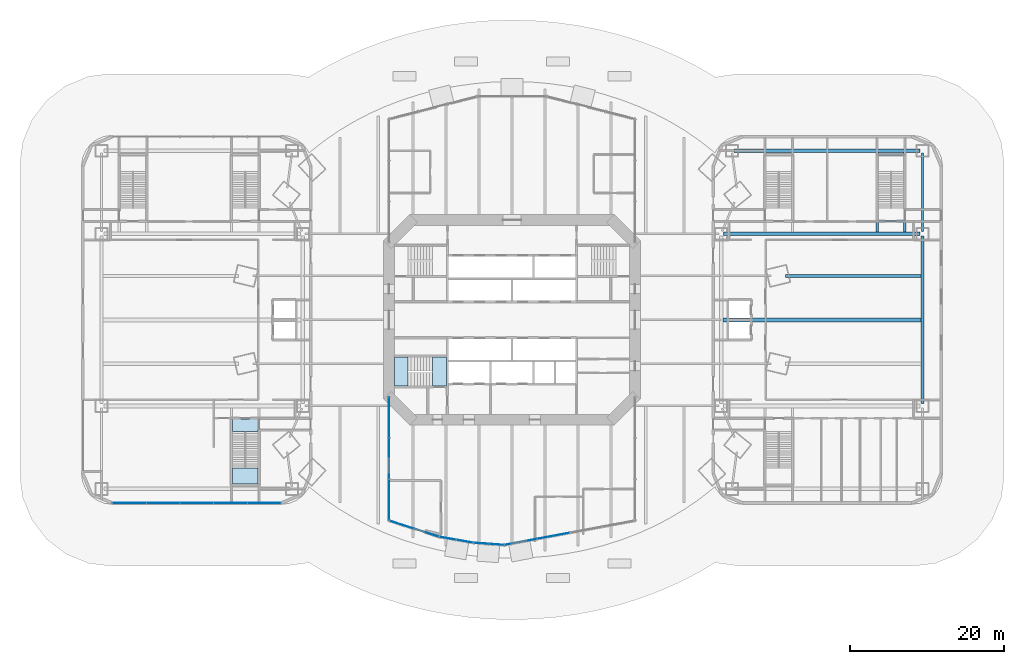
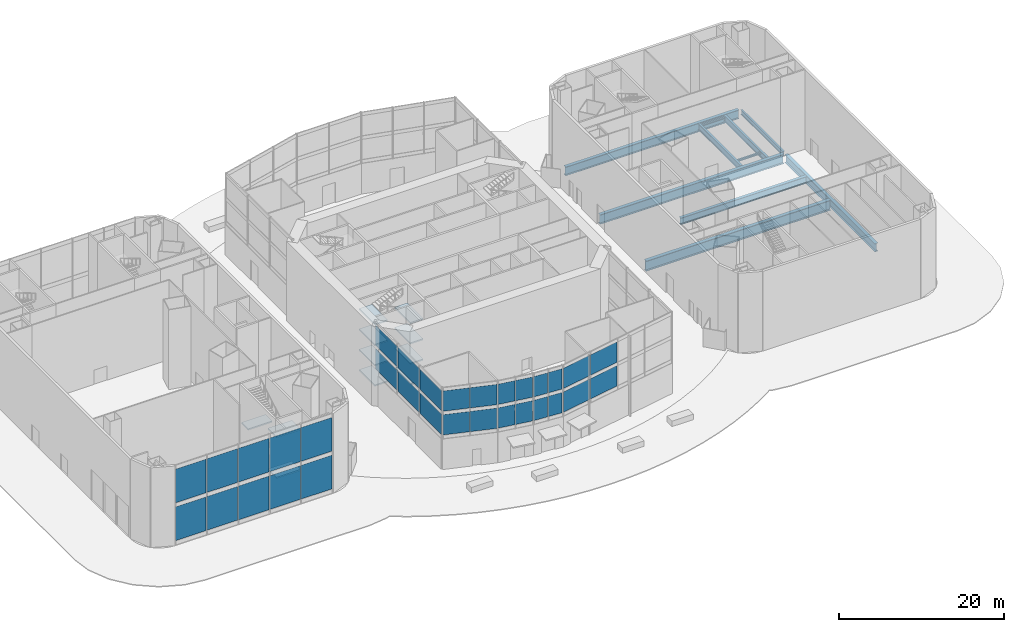
# One storey, part 8 of 23: 32 plates, 11 slabs, 10 beams, 8 elements without a shape of their own.
"""IFC4 building model written with IfcOpenShell, lengths in metres."""

import ifcopenshell
import ifcopenshell.guid

model = None  # the IFC model being written
_history = None  # IfcOwnerHistory: only IFC2X3 demands one
_inside = {}  # id of a spatial element -> (the spatial element, [elements in it])
_under = {}  # id of a project, library or spatial element -> (it, [spatial elements below it])
_declared = {}  # id of a project -> (the project, [libraries it declares])
_typed = {}  # id of a type object -> (the type object, [elements of that type])
_made_of = {}  # id of a material, layer set ... -> (it, [elements and type objects made of it])


def new_model(schema):
    """Start an empty IFC model of exactly this schema.

    Asked for "IFC4X3", IfcOpenShell would pick the latest addendum, in which some entities
    have other attributes; the version numbers below select the first issue.
    IFC2X3 requires an IfcOwnerHistory on every rooted entity: one is made here for all.
    """
    global model, _history
    if schema == "IFC4X3":
        model = ifcopenshell.file(schema_version=(4, 3, 0, 0))
    else:
        model = ifcopenshell.file(schema=schema)
    _inside.clear()
    _under.clear()
    _declared.clear()
    _typed.clear()
    _made_of.clear()
    _history = None
    if model.schema == "IFC2X3":
        org = make("IfcOrganization", Name="unknown")
        user = make(
            "IfcPersonAndOrganization",
            ThePerson=make("IfcPerson", FamilyName="unknown"),
            TheOrganization=org,
        )
        app = make(
            "IfcApplication",
            ApplicationDeveloper=org,
            Version="unknown",
            ApplicationFullName="unknown",
            ApplicationIdentifier="unknown",
        )
        _history = make(
            "IfcOwnerHistory",
            OwningUser=user,
            OwningApplication=app,
            ChangeAction="ADDED",
            CreationDate=0,
        )
    return model


def make(cls, **values):
    """One entity of the class cls with the attributes given. An attribute that is None is left unset."""
    return model.create_entity(
        cls, **{name: value for name, value in values.items() if value is not None}
    )


def rooted(cls, **values):
    """An entity with a GlobalId (a new one), such as an element, a storey or a relation."""
    return make(cls, GlobalId=ifcopenshell.guid.new(), OwnerHistory=_history, **values)


def si_unit(unit_type, name, prefix=None):
    """IfcSIUnit, for example si_unit("LENGTHUNIT", "METRE", prefix="MILLI")."""
    return make("IfcSIUnit", UnitType=unit_type, Prefix=prefix, Name=name)


def assignment(units):
    """IfcUnitAssignment: the units of a project."""
    return None if units is None else make("IfcUnitAssignment", Units=units)


def point(xyz):
    """IfcCartesianPoint."""
    return None if xyz is None else make("IfcCartesianPoint", Coordinates=xyz)


def direction(xyz):
    """IfcDirection."""
    return None if xyz is None else make("IfcDirection", DirectionRatios=xyz)


def frame(location, z_axis=None, x_axis=None):
    """IfcAxis2Placement3D, a coordinate frame: its origin and axes. An axis left out is left unset."""
    return make(
        "IfcAxis2Placement3D",
        Location=point(location),
        Axis=direction(z_axis),
        RefDirection=direction(x_axis),
    )


def frame_2d(location, x_axis=None):
    """IfcAxis2Placement2D, a coordinate frame in the plane: its origin and x axis."""
    return make(
        "IfcAxis2Placement2D", Location=point(location), RefDirection=direction(x_axis)
    )


def origin():
    """The frame at (0, 0, 0) with its axes left unset."""
    return frame((0.0, 0.0, 0.0))


def origin_2d():
    """The frame at (0, 0) in the plane with its x axis left unset."""
    return frame_2d((0.0, 0.0))


def place(relative_to, where):
    """IfcLocalPlacement: puts the frame where relative to a parent placement (None: the world)."""
    return make(
        "IfcLocalPlacement", PlacementRelTo=relative_to, RelativePlacement=where
    )


def context(
    kind, dimensions, precision=None, world=None, true_north=None, identifier=None
):
    """IfcGeometricRepresentationContext, for example the 3D "Model" context."""
    return make(
        "IfcGeometricRepresentationContext",
        ContextIdentifier=identifier,
        ContextType=kind,
        CoordinateSpaceDimension=dimensions,
        Precision=precision,
        WorldCoordinateSystem=world,
        TrueNorth=true_north,
    )


def subcontext(parent, identifier, kind, view, scale=None):
    """IfcGeometricRepresentationSubContext, for example "Body" below "Model"."""
    return make(
        "IfcGeometricRepresentationSubContext",
        ContextIdentifier=identifier,
        ContextType=kind,
        ParentContext=parent,
        TargetScale=scale,
        TargetView=view,
    )


def project(units=None, contexts=None):
    """IfcProject with its units and contexts."""
    return rooted(
        "IfcProject",
        Name="project",
        RepresentationContexts=contexts,
        UnitsInContext=assignment(units),
    )


def spatial(cls, under=None, at=None, **own):
    """A site, building, storey or space (cls), placed at a placement, below another one or the project."""
    s = rooted(cls, ObjectPlacement=at, **own)
    if under is not None:
        _under.setdefault(under.id(), (under, []))[1].append(s)
    return s


def polyline(points):
    """IfcPolyline through the points."""
    return make("IfcPolyline", Points=[point(p) for p in points])


def profile(cls, at=None, kind="AREA", **sizes):
    """A parametric profile (cls). Its sizes go by their IFC names, for example OverallWidth=200.0."""
    return make(cls, ProfileType=kind, Position=at, **sizes)


def rectangle(**sizes):
    """IfcRectangleProfileDef."""
    return profile("IfcRectangleProfileDef", **sizes)


def i_section(**sizes):
    """IfcIShapeProfileDef."""
    return profile("IfcIShapeProfileDef", **sizes)


def outline(outer, holes=None, kind="AREA"):
    """IfcArbitraryClosedProfileDef: a profile drawn as a closed curve; with holes, ...WithVoids."""
    if holes is None:
        return make("IfcArbitraryClosedProfileDef", ProfileType=kind, OuterCurve=outer)
    return make(
        "IfcArbitraryProfileDefWithVoids",
        ProfileType=kind,
        OuterCurve=outer,
        InnerCurves=holes,
    )


def extrude(swept, where, along, depth):
    """IfcExtrudedAreaSolid: the profile swept, set in the frame where, extruded along a direction by depth."""
    return make(
        "IfcExtrudedAreaSolid",
        SweptArea=swept,
        Position=where,
        ExtrudedDirection=direction(along),
        Depth=depth,
    )


def shape(context_of_items, identifier, shape_type, items):
    """IfcShapeRepresentation: the items that make up one representation, for example the "Body"."""
    return make(
        "IfcShapeRepresentation",
        ContextOfItems=context_of_items,
        RepresentationIdentifier=identifier,
        RepresentationType=shape_type,
        Items=items,
    )


def material(Name=None, Category=None):
    """IfcMaterial."""
    return make("IfcMaterial", Name=Name, Category=Category)


def layer(
    of_material, thickness, ventilated=None, Name=None, Category=None, Priority=None
):
    """IfcMaterialLayer: one layer of a wall or slab, of a material (None: an air gap)."""
    return make(
        "IfcMaterialLayer",
        Material=of_material,
        LayerThickness=thickness,
        IsVentilated=ventilated,
        Name=Name,
        Category=Category,
        Priority=Priority,
    )


def layer_set(layers, Name=None):
    """IfcMaterialLayerSet."""
    return make("IfcMaterialLayerSet", MaterialLayers=layers, LayerSetName=Name)


def material_profile(
    of_material, cross_section, Name=None, Category=None, Priority=None
):
    """IfcMaterialProfile: a cross section and its material."""
    return make(
        "IfcMaterialProfile",
        Name=Name,
        Material=of_material,
        Profile=cross_section,
        Priority=Priority,
        Category=Category,
    )


def profile_set(profiles, Name=None, composite=None):
    """IfcMaterialProfileSet."""
    return make(
        "IfcMaterialProfileSet",
        Name=Name,
        MaterialProfiles=profiles,
        CompositeProfile=composite,
    )


def made_of(thing, what):
    """Note that an element or type object is made of a material, layer set ...; save() writes the relation."""
    if what is not None:
        _made_of.setdefault(what.id(), (what, []))[1].append(thing)
    return thing


def type_object(cls, material=None, **own):
    """A type object (cls), such as IfcWallType, which elements share."""
    return made_of(rooted(cls, **own), material)


def element(
    cls,
    number,
    at=None,
    inside=None,
    cuts=None,
    type_object=None,
    material=None,
    context=None,
    identifier="Body",
    shape_type=None,
    held_by="IfcProductDefinitionShape",
    body=None,
    shapes=None,
    **own,
):
    """One element of the class cls, such as IfcWall. Its Tag is "e" and its number.

    at: its placement. inside: the storey or other place that contains it. cuts: it is an
    opening in that element (IfcRelVoidsElement). A single representation is given by context,
    identifier, shape_type and body (its items); several are given by shapes. held_by: the class
    of the entity that holds the representations. save() writes the other relations.
    """
    e = rooted(cls, Tag="e%d" % number, ObjectPlacement=at, **own)
    if body is not None:
        shapes = [shape(context, identifier, shape_type, body)]
    if shapes is not None:
        e.Representation = make(held_by, Representations=shapes)
    if inside is not None:
        _inside.setdefault(inside.id(), (inside, []))[1].append(e)
    if cuts is not None:
        rooted(
            "IfcRelVoidsElement", RelatingBuildingElement=cuts, RelatedOpeningElement=e
        )
    if type_object is not None:
        _typed.setdefault(type_object.id(), (type_object, []))[1].append(e)
    return made_of(e, material)


def aggregate(whole, parts):
    """IfcRelAggregates: a whole, such as a stair, and the parts it consists of."""
    return rooted("IfcRelAggregates", RelatingObject=whole, RelatedObjects=parts)


def save(model, path):
    """Write the relations noted so far, then the file.

    IfcRelAggregates (storeys below a building ...), IfcRelContainedInSpatialStructure (elements
    in a storey), IfcRelDefinesByType, IfcRelAssociatesMaterial and IfcRelDeclares: one each for
    every whole, place, type object, material and project.
    """
    for whole, parts in _under.values():
        aggregate(whole, parts)
    for where, things in _inside.values():
        rooted(
            "IfcRelContainedInSpatialStructure",
            RelatedElements=things,
            RelatingStructure=where,
        )
    for kind, things in _typed.values():
        rooted("IfcRelDefinesByType", RelatedObjects=things, RelatingType=kind)
    for what, things in _made_of.values():
        rooted("IfcRelAssociatesMaterial", RelatedObjects=things, RelatingMaterial=what)
    for by, libraries in _declared.values():
        rooted("IfcRelDeclares", RelatingContext=by, RelatedDefinitions=libraries)
    model.write(path)


model = new_model("IFC4")

# Units and contexts
model_context = context("Model", 3, precision=1e-05, world=origin(), true_north=direction((0.0, 1.0)))
body_context = subcontext(model_context, "Body", "Model", "MODEL_VIEW")
ifc_project = project(units=[si_unit("LENGTHUNIT", "METRE"), si_unit("AREAUNIT", "SQUARE_METRE"), si_unit("VOLUMEUNIT", "CUBIC_METRE"), si_unit("PLANEANGLEUNIT", "RADIAN"), si_unit("MASSUNIT", "GRAM", prefix="KILO")], contexts=[model_context])

# Site, building, storey
site_placement = place(None, origin())
site = spatial("IfcSite", under=ifc_project, at=site_placement, CompositionType="ELEMENT")
building_placement = place(site_placement, origin())
building = spatial("IfcBuilding", under=site, at=building_placement, Name="Marenthal Gate Tower", CompositionType="ELEMENT")
storey_placement = place(building_placement, origin())
storey = spatial("IfcBuildingStorey", under=building, at=storey_placement, Name="L00", CompositionType="ELEMENT", Elevation=0.0)

# Beams
ifc_material_1 = material(Name="Steel S355", Category="steel")
ifc_material_profile_1 = material_profile(ifc_material_1, i_section(OverallWidth=0.419921875, OverallDepth=1.0, WebThickness=0.02001953125, FlangeThickness=0.035888671875, at=origin_2d()), Name="PLATE GIRDER 1000X420X20X36")
ifc_profile_set_1 = profile_set([ifc_material_profile_1], Name="Steel S355")
beam_type_1 = type_object("IfcBeamType", Name="PLATE GIRDER 1000X420X20X36 beam", PredefinedType="BEAM", material=ifc_profile_set_1)
beam_1_placement = place(storey_placement, frame((35.561279296875, 5.716064453125, -0.75), z_axis=(1.0, 0.0, 0.0), x_axis=(0.0, 1.0, 0.0)))
element("IfcBeam", 1, at=beam_1_placement, inside=storey, type_object=beam_type_1, Name="BM-L00-111", PredefinedType="BEAM", context=body_context, shape_type="SweptSolid", body=[
    extrude(i_section(OverallWidth=0.419921875, OverallDepth=1.0, WebThickness=0.02001953125, FlangeThickness=0.035888671875, at=origin_2d()), origin(), (0.0, 0.0, 1.0), 17.61376953125),
])
ifc_material_2 = material(Name="Steel S355", Category="steel")
ifc_material_profile_2 = material_profile(ifc_material_2, i_section(OverallWidth=0.449951171875, OverallDepth=1.199951171875, WebThickness=0.02197265625, FlangeThickness=0.0400390625, at=origin_2d()), Name="PLATE GIRDER 1200X450X22X40")
ifc_profile_set_2 = profile_set([ifc_material_profile_2], Name="Steel S355")
beam_type_2 = type_object("IfcBeamType", Name="PLATE GIRDER 1200X450X22X40 beam", PredefinedType="BEAM", material=ifc_profile_set_2)
beam_2_placement = place(storey_placement, frame((53.39990234375, -10.89990234375, -0.85009765625), z_axis=(0.0, 1.0, 0.0), x_axis=(-1.0, 0.0, 0.0)))
element("IfcBeam", 2, at=beam_2_placement, inside=storey, type_object=beam_type_2, Name="BM-L00-102", PredefinedType="BEAM", context=body_context, shape_type="SweptSolid", body=[
    extrude(i_section(OverallWidth=0.449951171875, OverallDepth=1.199951171875, WebThickness=0.02197265625, FlangeThickness=0.0400390625, at=origin_2d()), origin(), (0.0, 0.0, 1.0), 21.7998046875),
])
ifc_material_3 = material(Name="Steel S355", Category="steel")
ifc_material_profile_3 = material_profile(ifc_material_3, i_section(OverallWidth=0.4599609375, OverallDepth=1.300048828125, WebThickness=0.02490234375, FlangeThickness=0.044921875, at=origin_2d()), Name="PLATE GIRDER 1300X460X25X45")
ifc_profile_set_3 = profile_set([ifc_material_profile_3], Name="Steel S355")
beam_type_3 = type_object("IfcBeamType", Name="PLATE GIRDER 1300X460X25X45 beam", PredefinedType="BEAM", material=ifc_profile_set_3)
beam_3_placement = place(storey_placement, frame((28.89990234375, 22.0, -0.89990234375), z_axis=(1.0, 0.0, 0.0), x_axis=(0.0, 1.0, 0.0)))
element("IfcBeam", 3, at=beam_3_placement, inside=storey, type_object=beam_type_3, Name="BM-L00-113", PredefinedType="BEAM", context=body_context, shape_type="SweptSolid", body=[
    extrude(i_section(OverallWidth=0.4599609375, OverallDepth=1.300048828125, WebThickness=0.02490234375, FlangeThickness=0.044921875, at=origin_2d()), origin(), (0.0, 0.0, 1.0), 24.2001953125),
])
ifc_material_4 = material(Name="Steel S355", Category="steel")
ifc_material_profile_4 = material_profile(ifc_material_4, i_section(OverallWidth=0.47998046875, OverallDepth=1.39990234375, WebThickness=0.02490234375, FlangeThickness=0.044921875, at=origin_2d()), Name="PLATE GIRDER 1400X480X25X45")
ifc_profile_set_4 = profile_set([ifc_material_profile_4], Name="Steel S355")
beam_type_4 = type_object("IfcBeamType", Name="PLATE GIRDER 1400X480X25X45 beam", PredefinedType="BEAM", material=ifc_profile_set_4)
beam_4_placement = place(storey_placement, frame((27.5, 11.199951171875, -0.949951171875), z_axis=(1.0, 0.0, 0.0), x_axis=(0.0, 1.0, 0.0)))
element("IfcBeam", 4, at=beam_4_placement, inside=storey, type_object=beam_type_4, Name="BM-L00-112", PredefinedType="BEAM", context=body_context, shape_type="SweptSolid", body=[
    extrude(i_section(OverallWidth=0.47998046875, OverallDepth=1.39990234375, WebThickness=0.02490234375, FlangeThickness=0.044921875, at=origin_2d()), origin(), (0.0, 0.0, 1.0), 25.60009765625),
])
ifc_material_5 = material(Name="Steel S355", Category="steel")
ifc_material_profile_5 = material_profile(ifc_material_5, i_section(OverallWidth=0.5, OverallDepth=1.5, WebThickness=0.02490234375, FlangeThickness=0.050048828125, at=origin_2d()), Name="PLATE GIRDER 1500X500X25X50")
ifc_profile_set_5 = profile_set([ifc_material_profile_5], Name="Steel S355")
beam_type_5 = type_object("IfcBeamType", Name="PLATE GIRDER 1500X500X25X50 beam", PredefinedType="BEAM", material=ifc_profile_set_5)
beam_5_placement = place(storey_placement, frame((27.425048828125, 0.0, -1.0), z_axis=(1.0, 0.0, 0.0), x_axis=(0.0, 1.0, 0.0)))
element("IfcBeam", 5, at=beam_5_placement, inside=storey, type_object=beam_type_5, Name="BM-L00-109", PredefinedType="BEAM", context=body_context, shape_type="SweptSolid", body=[
    extrude(i_section(OverallWidth=0.5, OverallDepth=1.5, WebThickness=0.02490234375, FlangeThickness=0.050048828125, at=origin_2d()), origin(), (0.0, 0.0, 1.0), 25.75),
])
ifc_material_6 = material(Name="Steel S355", Category="steel")
ifc_material_profile_6 = material_profile(ifc_material_6, i_section(OverallWidth=0.202880859375, OverallDepth=0.302001953125, WebThickness=0.007568359375, FlangeThickness=0.01318359375, FilletRadius=0.0126953125, at=origin_2d()), Name="W310X60")
ifc_profile_set_6 = profile_set([ifc_material_profile_6], Name="Steel S355")
beam_type_6 = type_object("IfcBeamType", Name="W310X60 beam", PredefinedType="BEAM", material=ifc_profile_set_6)
for number, where, z_axis, x_axis, name in (
    (6, (47.655029296875, 12.804931640625, -0.40087890625), (1.0, 0.0, 0.0), (0.0, 1.0, 0.0), "BM-L00-177"),
    (7, (47.655029296875, 21.4951171875, -0.40087890625), (1.0, 0.0, 0.0), (0.0, 1.0, 0.0), "BM-L00-178"),
):
    element("IfcBeam", number, at=place(storey_placement, frame(where, z_axis=z_axis, x_axis=x_axis)), inside=storey, type_object=beam_type_6, Name=name, PredefinedType="BEAM", context=body_context, shape_type="SweptSolid", body=[
        extrude(i_section(OverallWidth=0.202880859375, OverallDepth=0.302001953125, WebThickness=0.007568359375, FlangeThickness=0.01318359375, FilletRadius=0.0126953125, at=origin_2d()), origin(), (0.0, 0.0, 1.0), 3.2900390625),
    ])
ifc_material_7 = material(Name="Steel S355", Category="steel")
ifc_material_profile_7 = material_profile(ifc_material_7, i_section(OverallWidth=0.25390625, OverallDepth=0.68310546875, WebThickness=0.012451171875, FlangeThickness=0.018798828125, FilletRadius=0.01513671875, at=origin_2d()), Name="W690X140")
ifc_profile_set_7 = profile_set([ifc_material_profile_7], Name="Steel S355")
beam_type_7 = type_object("IfcBeamType", Name="W690X140 beam", PredefinedType="BEAM", material=ifc_profile_set_7)
beam_6_placement = place(storey_placement, frame((53.39990234375, 11.5, -0.591552734375), z_axis=(0.0, 1.0, 0.0), x_axis=(-1.0, 0.0, 0.0)))
element("IfcBeam", 8, at=beam_6_placement, inside=storey, type_object=beam_type_7, Name="BM-L00-103", PredefinedType="BEAM", context=body_context, shape_type="SweptSolid", body=[
    extrude(i_section(OverallWidth=0.25390625, OverallDepth=0.68310546875, WebThickness=0.012451171875, FlangeThickness=0.018798828125, FilletRadius=0.01513671875, at=origin_2d()), origin(), (0.0, 0.0, 1.0), 10.199951171875),
])
ifc_material_8 = material(Name="Steel S355", Category="steel")
ifc_material_profile_8 = material_profile(ifc_material_8, i_section(OverallWidth=0.304931640625, OverallDepth=0.904052734375, WebThickness=0.01513671875, FlangeThickness=0.02001953125, FilletRadius=0.01904296875, at=origin_2d()), Name="W920X201")
ifc_profile_set_8 = profile_set([ifc_material_profile_8], Name="Steel S355")
beam_type_8 = type_object("IfcBeamType", Name="W920X201 beam", PredefinedType="BEAM", material=ifc_profile_set_8)
for number, where, z_axis, x_axis, name in (
    (9, (47.50244140625, 11.43994140625, -0.701904296875), (0.0, 1.0, 0.0), (-1.0, 0.0, 0.0), "BM-L00-175"),
    (10, (51.097412109375, 11.43994140625, -0.701904296875), (0.0, 1.0, 0.0), (-1.0, 0.0, 0.0), "BM-L00-176"),
):
    element("IfcBeam", number, at=place(storey_placement, frame(where, z_axis=z_axis, x_axis=x_axis)), inside=storey, type_object=beam_type_8, Name=name, PredefinedType="BEAM", context=body_context, shape_type="SweptSolid", body=[
        extrude(i_section(OverallWidth=0.304931640625, OverallDepth=0.904052734375, WebThickness=0.01513671875, FlangeThickness=0.02001953125, FilletRadius=0.01904296875, at=origin_2d()), origin(), (0.0, 0.0, 1.0), 10.330078125),
    ])

# Slab
ifc_material_9 = material(Name="Concrete 50 MPa", Category="concrete")
ifc_layer_1 = layer(ifc_material_9, 0.25)
ifc_layer_set_1 = layer_set([ifc_layer_1], Name="Core floor slab 250")
slab_type_1 = type_object("IfcSlabType", Name="Core floor slab 250", PredefinedType="FLOOR", material=ifc_layer_set_1)
slab_1_placement = place(storey_placement, frame((0.0, 0.0, -0.25)))
element("IfcSlab", 11, at=slab_1_placement, inside=storey, type_object=slab_type_1, Name="Core floor L00", PredefinedType="FLOOR", context=body_context, shape_type="SweptSolid", body=[
    extrude(outline(polyline([(-10.35009765625, -8.625), (-10.35009765625, -4.824951171875), (-8.550048828125, -4.824951171875), (-8.550048828125, -8.625), (-10.35009765625, -8.625)])), origin(), (0.0, 0.0, 1.0), 0.25),
])

# Curtain wall, plates
ifc_material_10 = material(Name="Aluminium and glass", Category="aluminium")
curtain_wall_type_1 = type_object("IfcCurtainWallType", Name="Curtain wall arch infill", PredefinedType="NOTDEFINED", material=ifc_material_10)
curtain_wall_1_placement = place(storey_placement, origin())
curtain_wall_1 = element("IfcCurtainWall", 12, at=curtain_wall_1_placement, inside=storey, type_object=curtain_wall_type_1, Name="Curtain wall L00 arch S1", PredefinedType="NOTDEFINED")
ifc_material_11 = material(Name="Glass, laminated impact-rated unit", Category="glass")
ifc_layer_2 = layer(ifc_material_11, 0.035888671875)
ifc_layer_set_2 = layer_set([ifc_layer_2], Name="Glass panel 36 arch infill")
plate_type_1 = type_object("IfcPlateType", Name="Glass panel 36 arch infill", PredefinedType="CURTAIN_PANEL", material=ifc_layer_set_2)
plate_1_placement = place(storey_placement, frame((-14.35595703125, -26.64892578125, 5.0), z_axis=(0.0, 0.0, 1.0), x_axis=(0.951502371344, -0.307641410292, 0.0)))
plate_1 = element("IfcPlate", 13, at=plate_1_placement, type_object=plate_type_1, Name="Glass panel L00 arch S1.1.1", PredefinedType="CURTAIN_PANEL", context=body_context, shape_type="SweptSolid", body=[
    extrude(rectangle(XDim=3.295654296875, YDim=0.035888671875, at=origin_2d()), origin(), (0.0, 0.0, 1.0), 3.0),
])
plate_2_placement = place(storey_placement, frame((-14.35595703125, -26.64892578125, 8.5), z_axis=(0.0, 0.0, 1.0), x_axis=(0.951502371344, -0.307641410292, 0.0)))
plate_2 = element("IfcPlate", 14, at=plate_2_placement, type_object=plate_type_1, Name="Glass panel L00 arch S1.1.2", PredefinedType="CURTAIN_PANEL", context=body_context, shape_type="SweptSolid", body=[
    extrude(rectangle(XDim=3.295654296875, YDim=0.035888671875, at=origin_2d()), origin(), (0.0, 0.0, 1.0), 3.0),
])
plate_3_placement = place(storey_placement, frame((-11.14404296875, -27.6875, 5.0), z_axis=(0.0, 0.0, 1.0), x_axis=(0.951502371344, -0.307641410292, 0.0)))
plate_3 = element("IfcPlate", 15, at=plate_3_placement, type_object=plate_type_1, Name="Glass panel L00 arch S1.2.1", PredefinedType="CURTAIN_PANEL", context=body_context, shape_type="SweptSolid", body=[
    extrude(rectangle(XDim=3.295654296875, YDim=0.035888671875, at=origin_2d()), origin(), (0.0, 0.0, 1.0), 3.0),
])
plate_4_placement = place(storey_placement, frame((-11.14404296875, -27.6875, 8.5), z_axis=(0.0, 0.0, 1.0), x_axis=(0.951502371344, -0.307641410292, 0.0)))
plate_4 = element("IfcPlate", 16, at=plate_4_placement, type_object=plate_type_1, Name="Glass panel L00 arch S1.2.2", PredefinedType="CURTAIN_PANEL", context=body_context, shape_type="SweptSolid", body=[
    extrude(rectangle(XDim=3.295654296875, YDim=0.035888671875, at=origin_2d()), origin(), (0.0, 0.0, 1.0), 3.0),
])
aggregate(curtain_wall_1, [plate_1, plate_2, plate_3, plate_4])

curtain_wall_2_placement = place(storey_placement, origin())
curtain_wall_2 = element("IfcCurtainWall", 17, at=curtain_wall_2_placement, inside=storey, type_object=curtain_wall_type_1, Name="Curtain wall L00 arch S2", PredefinedType="NOTDEFINED")
plate_5_placement = place(storey_placement, frame((-8.355224609375, -28.4189453125, 5.0), z_axis=(0.0, 0.0, 1.0), x_axis=(0.985101701709, -0.171972780668, 0.0)))
plate_5 = element("IfcPlate", 18, at=plate_5_placement, type_object=plate_type_1, Name="Glass panel L00 arch S2.1.1", PredefinedType="CURTAIN_PANEL", context=body_context, shape_type="SweptSolid", body=[
    extrude(rectangle(XDim=2.1640625, YDim=0.035888671875, at=origin_2d()), origin(), (0.0, 0.0, 1.0), 3.0),
])
plate_6_placement = place(storey_placement, frame((-8.355224609375, -28.4189453125, 8.5), z_axis=(0.0, 0.0, 1.0), x_axis=(0.985101701709, -0.171972780668, 0.0)))
plate_6 = element("IfcPlate", 19, at=plate_6_placement, type_object=plate_type_1, Name="Glass panel L00 arch S2.1.2", PredefinedType="CURTAIN_PANEL", context=body_context, shape_type="SweptSolid", body=[
    extrude(rectangle(XDim=2.1640625, YDim=0.035888671875, at=origin_2d()), origin(), (0.0, 0.0, 1.0), 3.0),
])
plate_7_placement = place(storey_placement, frame((-6.144775390625, -28.8046875, 5.0), z_axis=(0.0, 0.0, 1.0), x_axis=(0.985101701709, -0.171972780668, 0.0)))
plate_7 = element("IfcPlate", 20, at=plate_7_placement, type_object=plate_type_1, Name="Glass panel L00 arch S2.2.1", PredefinedType="CURTAIN_PANEL", context=body_context, shape_type="SweptSolid", body=[
    extrude(rectangle(XDim=2.1640625, YDim=0.035888671875, at=origin_2d()), origin(), (0.0, 0.0, 1.0), 3.0),
])
plate_8_placement = place(storey_placement, frame((-6.144775390625, -28.8046875, 8.5), z_axis=(0.0, 0.0, 1.0), x_axis=(0.985101701709, -0.171972780668, 0.0)))
plate_8 = element("IfcPlate", 21, at=plate_8_placement, type_object=plate_type_1, Name="Glass panel L00 arch S2.2.2", PredefinedType="CURTAIN_PANEL", context=body_context, shape_type="SweptSolid", body=[
    extrude(rectangle(XDim=2.1640625, YDim=0.035888671875, at=origin_2d()), origin(), (0.0, 0.0, 1.0), 3.0),
])
aggregate(curtain_wall_2, [plate_5, plate_6, plate_7, plate_8])

curtain_wall_3_placement = place(storey_placement, origin())
curtain_wall_3 = element("IfcCurtainWall", 22, at=curtain_wall_3_placement, inside=storey, type_object=curtain_wall_type_1, Name="Curtain wall L00 arch S3", PredefinedType="NOTDEFINED")
plate_9_placement = place(storey_placement, frame((-3.97998046875, -29.076904296875, 5.0), z_axis=(0.0, 0.0, 1.0), x_axis=(0.997495161638, -0.070734733401, 0.0)))
plate_9 = element("IfcPlate", 23, at=plate_9_placement, type_object=plate_type_1, Name="Glass panel L00 arch S3.1.1", PredefinedType="CURTAIN_PANEL", context=body_context, shape_type="SweptSolid", body=[
    extrude(rectangle(XDim=1.885009765625, YDim=0.035888671875, at=origin_2d()), origin(), (0.0, 0.0, 1.0), 3.0),
])
plate_10_placement = place(storey_placement, frame((-3.97998046875, -29.076904296875, 8.5), z_axis=(0.0, 0.0, 1.0), x_axis=(0.997495161638, -0.070734733401, 0.0)))
plate_10 = element("IfcPlate", 24, at=plate_10_placement, type_object=plate_type_1, Name="Glass panel L00 arch S3.1.2", PredefinedType="CURTAIN_PANEL", context=body_context, shape_type="SweptSolid", body=[
    extrude(rectangle(XDim=1.885009765625, YDim=0.035888671875, at=origin_2d()), origin(), (0.0, 0.0, 1.0), 3.0),
])
plate_11_placement = place(storey_placement, frame((-2.02001953125, -29.2158203125, 5.0), z_axis=(0.0, 0.0, 1.0), x_axis=(0.997495161638, -0.070734733401, 0.0)))
plate_11 = element("IfcPlate", 25, at=plate_11_placement, type_object=plate_type_1, Name="Glass panel L00 arch S3.2.1", PredefinedType="CURTAIN_PANEL", context=body_context, shape_type="SweptSolid", body=[
    extrude(rectangle(XDim=1.885009765625, YDim=0.035888671875, at=origin_2d()), origin(), (0.0, 0.0, 1.0), 3.0),
])
plate_12_placement = place(storey_placement, frame((-2.02001953125, -29.2158203125, 8.5), z_axis=(0.0, 0.0, 1.0), x_axis=(0.997495161638, -0.070734733401, 0.0)))
plate_12 = element("IfcPlate", 26, at=plate_12_placement, type_object=plate_type_1, Name="Glass panel L00 arch S3.2.2", PredefinedType="CURTAIN_PANEL", context=body_context, shape_type="SweptSolid", body=[
    extrude(rectangle(XDim=1.885009765625, YDim=0.035888671875, at=origin_2d()), origin(), (0.0, 0.0, 1.0), 3.0),
])
aggregate(curtain_wall_3, [plate_9, plate_10, plate_11, plate_12])

curtain_wall_4_placement = place(storey_placement, origin())
curtain_wall_4 = element("IfcCurtainWall", 27, at=curtain_wall_4_placement, inside=storey, type_object=curtain_wall_type_1, Name="Curtain wall L00 arch S4", PredefinedType="NOTDEFINED")
plate_13_placement = place(storey_placement, frame((1.154541015625, -28.886474609375, 5.0), z_axis=(0.0, 0.0, 1.0), x_axis=(0.983046432537, 0.183356787375, 0.0)))
plate_13 = element("IfcPlate", 28, at=plate_13_placement, type_object=plate_type_1, Name="Glass panel L00 arch S4.1.1", PredefinedType="CURTAIN_PANEL", context=body_context, shape_type="SweptSolid", body=[
    extrude(rectangle(XDim=4.223388671875, YDim=0.035888671875, at=origin_2d()), origin(), (0.0, 0.0, 1.0), 3.0),
])
plate_14_placement = place(storey_placement, frame((1.154541015625, -28.886474609375, 8.5), z_axis=(0.0, 0.0, 1.0), x_axis=(0.983046432537, 0.183356787375, 0.0)))
plate_14 = element("IfcPlate", 29, at=plate_14_placement, type_object=plate_type_1, Name="Glass panel L00 arch S4.1.2", PredefinedType="CURTAIN_PANEL", context=body_context, shape_type="SweptSolid", body=[
    extrude(rectangle(XDim=4.223388671875, YDim=0.035888671875, at=origin_2d()), origin(), (0.0, 0.0, 1.0), 3.0),
])
plate_15_placement = place(storey_placement, frame((5.384765625, -28.097412109375, 5.0), z_axis=(0.0, 0.0, 1.0), x_axis=(0.983046432537, 0.183356787375, 0.0)))
plate_15 = element("IfcPlate", 30, at=plate_15_placement, type_object=plate_type_1, Name="Glass panel L00 arch S4.2.1", PredefinedType="CURTAIN_PANEL", context=body_context, shape_type="SweptSolid", body=[
    extrude(rectangle(XDim=4.223388671875, YDim=0.035888671875, at=origin_2d()), origin(), (0.0, 0.0, 1.0), 3.0),
])
plate_16_placement = place(storey_placement, frame((5.384765625, -28.097412109375, 8.5), z_axis=(0.0, 0.0, 1.0), x_axis=(0.983046432537, 0.183356787375, 0.0)))
plate_16 = element("IfcPlate", 31, at=plate_16_placement, type_object=plate_type_1, Name="Glass panel L00 arch S4.2.2", PredefinedType="CURTAIN_PANEL", context=body_context, shape_type="SweptSolid", body=[
    extrude(rectangle(XDim=4.223388671875, YDim=0.035888671875, at=origin_2d()), origin(), (0.0, 0.0, 1.0), 3.0),
])
aggregate(curtain_wall_4, [plate_13, plate_14, plate_15, plate_16])

curtain_wall_5_placement = place(storey_placement, origin())
curtain_wall_5 = element("IfcCurtainWall", 32, at=curtain_wall_5_placement, inside=storey, type_object=curtain_wall_type_1, Name="Curtain wall L00 hall SW1", PredefinedType="NOTDEFINED")
plate_17_placement = place(storey_placement, frame((-16.0, -12.712890625, 5.0), z_axis=(0.0, 0.0, 1.0), x_axis=(0.0, -1.0, 0.0)))
plate_17 = element("IfcPlate", 33, at=plate_17_placement, type_object=plate_type_1, Name="Glass panel L00 hall SW1.1.1", PredefinedType="CURTAIN_PANEL", context=body_context, shape_type="SweptSolid", body=[
    extrude(rectangle(XDim=5.265869140625, YDim=0.035888671875, at=origin_2d()), origin(), (0.0, 0.0, 1.0), 3.0),
])
plate_18_placement = place(storey_placement, frame((-16.0, -12.712890625, 8.5), z_axis=(0.0, 0.0, 1.0), x_axis=(0.0, -1.0, 0.0)))
plate_18 = element("IfcPlate", 34, at=plate_18_placement, type_object=plate_type_1, Name="Glass panel L00 hall SW1.1.2", PredefinedType="CURTAIN_PANEL", context=body_context, shape_type="SweptSolid", body=[
    extrude(rectangle(XDim=5.265869140625, YDim=0.035888671875, at=origin_2d()), origin(), (0.0, 0.0, 1.0), 3.0),
])
plate_19_placement = place(storey_placement, frame((-16.0, -18.05859375, 5.0), z_axis=(0.0, 0.0, 1.0), x_axis=(0.0, -1.0, 0.0)))
plate_19 = element("IfcPlate", 35, at=plate_19_placement, type_object=plate_type_1, Name="Glass panel L00 hall SW1.2.1", PredefinedType="CURTAIN_PANEL", context=body_context, shape_type="SweptSolid", body=[
    extrude(rectangle(XDim=5.265869140625, YDim=0.035888671875, at=origin_2d()), origin(), (0.0, 0.0, 1.0), 3.0),
])
plate_20_placement = place(storey_placement, frame((-16.0, -18.05859375, 8.5), z_axis=(0.0, 0.0, 1.0), x_axis=(0.0, -1.0, 0.0)))
plate_20 = element("IfcPlate", 36, at=plate_20_placement, type_object=plate_type_1, Name="Glass panel L00 hall SW1.2.2", PredefinedType="CURTAIN_PANEL", context=body_context, shape_type="SweptSolid", body=[
    extrude(rectangle(XDim=5.265869140625, YDim=0.035888671875, at=origin_2d()), origin(), (0.0, 0.0, 1.0), 3.0),
])
plate_21_placement = place(storey_placement, frame((-16.0, -23.404541015625, 5.0), z_axis=(0.0, 0.0, 1.0), x_axis=(0.0, -1.0, 0.0)))
plate_21 = element("IfcPlate", 37, at=plate_21_placement, type_object=plate_type_1, Name="Glass panel L00 hall SW1.3.1", PredefinedType="CURTAIN_PANEL", context=body_context, shape_type="SweptSolid", body=[
    extrude(rectangle(XDim=5.265869140625, YDim=0.035888671875, at=origin_2d()), origin(), (0.0, 0.0, 1.0), 3.0),
])
plate_22_placement = place(storey_placement, frame((-16.0, -23.404541015625, 8.5), z_axis=(0.0, 0.0, 1.0), x_axis=(0.0, -1.0, 0.0)))
plate_22 = element("IfcPlate", 38, at=plate_22_placement, type_object=plate_type_1, Name="Glass panel L00 hall SW1.3.2", PredefinedType="CURTAIN_PANEL", context=body_context, shape_type="SweptSolid", body=[
    extrude(rectangle(XDim=5.265869140625, YDim=0.035888671875, at=origin_2d()), origin(), (0.0, 0.0, 1.0), 3.0),
])
aggregate(curtain_wall_5, [plate_17, plate_18, plate_19, plate_20, plate_21, plate_22])

ifc_material_12 = material(Name="Aluminium and glass", Category="aluminium")
curtain_wall_type_2 = type_object("IfcCurtainWallType", Name="Curtain wall podium impact", PredefinedType="NOTDEFINED", material=ifc_material_12)
curtain_wall_6_placement = place(storey_placement, origin())
curtain_wall_6 = element("IfcCurtainWall", 39, at=curtain_wall_6_placement, inside=storey, type_object=curtain_wall_type_2, Name="Curtain wall L00 W12", PredefinedType="NOTDEFINED")
ifc_material_13 = material(Name="Glass, laminated impact-rated unit", Category="glass")
ifc_layer_3 = layer(ifc_material_13, 0.0400390625)
ifc_layer_set_3 = layer_set([ifc_layer_3], Name="Glass panel 40 podium impact")
plate_type_2 = type_object("IfcPlateType", Name="Glass panel 40 podium impact", PredefinedType="CURTAIN_PANEL", material=ifc_layer_set_3)
plate_23_placement = place(storey_placement, frame((-49.7587890625, -23.824951171875, 0.599853515625), z_axis=(0.0, 0.0, 1.0), x_axis=(1.0, 0.0, 0.0)))
plate_23 = element("IfcPlate", 40, at=plate_23_placement, type_object=plate_type_2, Name="Glass panel L00 W12.1.1", PredefinedType="CURTAIN_PANEL", context=body_context, shape_type="SweptSolid", body=[
    extrude(rectangle(XDim=4.29931640625, YDim=0.0400390625, at=origin_2d()), origin(), (0.0, 0.0, 1.0), 4.97509765625),
])
plate_24_placement = place(storey_placement, frame((-49.7587890625, -23.824951171875, 6.175048828125), z_axis=(0.0, 0.0, 1.0), x_axis=(1.0, 0.0, 0.0)))
plate_24 = element("IfcPlate", 41, at=plate_24_placement, type_object=plate_type_2, Name="Glass panel L00 W12.1.2", PredefinedType="CURTAIN_PANEL", context=body_context, shape_type="SweptSolid", body=[
    extrude(rectangle(XDim=4.29931640625, YDim=0.0400390625, at=origin_2d()), origin(), (0.0, 0.0, 1.0), 4.97509765625),
])
plate_25_placement = place(storey_placement, frame((-45.37939453125, -23.824951171875, 0.599853515625), z_axis=(0.0, 0.0, 1.0), x_axis=(1.0, 0.0, 0.0)))
plate_25 = element("IfcPlate", 42, at=plate_25_placement, type_object=plate_type_2, Name="Glass panel L00 W12.2.1", PredefinedType="CURTAIN_PANEL", context=body_context, shape_type="SweptSolid", body=[
    extrude(rectangle(XDim=4.29931640625, YDim=0.0400390625, at=origin_2d()), origin(), (0.0, 0.0, 1.0), 4.97509765625),
])
plate_26_placement = place(storey_placement, frame((-45.37939453125, -23.824951171875, 6.175048828125), z_axis=(0.0, 0.0, 1.0), x_axis=(1.0, 0.0, 0.0)))
plate_26 = element("IfcPlate", 43, at=plate_26_placement, type_object=plate_type_2, Name="Glass panel L00 W12.2.2", PredefinedType="CURTAIN_PANEL", context=body_context, shape_type="SweptSolid", body=[
    extrude(rectangle(XDim=4.29931640625, YDim=0.0400390625, at=origin_2d()), origin(), (0.0, 0.0, 1.0), 4.97509765625),
])
plate_27_placement = place(storey_placement, frame((-41.0, -23.824951171875, 0.599853515625), z_axis=(0.0, 0.0, 1.0), x_axis=(1.0, 0.0, 0.0)))
plate_27 = element("IfcPlate", 44, at=plate_27_placement, type_object=plate_type_2, Name="Glass panel L00 W12.3.1", PredefinedType="CURTAIN_PANEL", context=body_context, shape_type="SweptSolid", body=[
    extrude(rectangle(XDim=4.29931640625, YDim=0.0400390625, at=origin_2d()), origin(), (0.0, 0.0, 1.0), 4.97509765625),
])
plate_28_placement = place(storey_placement, frame((-41.0, -23.824951171875, 6.175048828125), z_axis=(0.0, 0.0, 1.0), x_axis=(1.0, 0.0, 0.0)))
plate_28 = element("IfcPlate", 45, at=plate_28_placement, type_object=plate_type_2, Name="Glass panel L00 W12.3.2", PredefinedType="CURTAIN_PANEL", context=body_context, shape_type="SweptSolid", body=[
    extrude(rectangle(XDim=4.29931640625, YDim=0.0400390625, at=origin_2d()), origin(), (0.0, 0.0, 1.0), 4.97509765625),
])
plate_29_placement = place(storey_placement, frame((-36.62060546875, -23.824951171875, 0.599853515625), z_axis=(0.0, 0.0, 1.0), x_axis=(1.0, 0.0, 0.0)))
plate_29 = element("IfcPlate", 46, at=plate_29_placement, type_object=plate_type_2, Name="Glass panel L00 W12.4.1", PredefinedType="CURTAIN_PANEL", context=body_context, shape_type="SweptSolid", body=[
    extrude(rectangle(XDim=4.29931640625, YDim=0.0400390625, at=origin_2d()), origin(), (0.0, 0.0, 1.0), 4.97509765625),
])
plate_30_placement = place(storey_placement, frame((-36.62060546875, -23.824951171875, 6.175048828125), z_axis=(0.0, 0.0, 1.0), x_axis=(1.0, 0.0, 0.0)))
plate_30 = element("IfcPlate", 47, at=plate_30_placement, type_object=plate_type_2, Name="Glass panel L00 W12.4.2", PredefinedType="CURTAIN_PANEL", context=body_context, shape_type="SweptSolid", body=[
    extrude(rectangle(XDim=4.29931640625, YDim=0.0400390625, at=origin_2d()), origin(), (0.0, 0.0, 1.0), 4.97509765625),
])
plate_31_placement = place(storey_placement, frame((-32.2412109375, -23.824951171875, 0.599853515625), z_axis=(0.0, 0.0, 1.0), x_axis=(1.0, 0.0, 0.0)))
plate_31 = element("IfcPlate", 48, at=plate_31_placement, type_object=plate_type_2, Name="Glass panel L00 W12.5.1", PredefinedType="CURTAIN_PANEL", context=body_context, shape_type="SweptSolid", body=[
    extrude(rectangle(XDim=4.29931640625, YDim=0.0400390625, at=origin_2d()), origin(), (0.0, 0.0, 1.0), 4.97509765625),
])
plate_32_placement = place(storey_placement, frame((-32.2412109375, -23.824951171875, 6.175048828125), z_axis=(0.0, 0.0, 1.0), x_axis=(1.0, 0.0, 0.0)))
plate_32 = element("IfcPlate", 49, at=plate_32_placement, type_object=plate_type_2, Name="Glass panel L00 W12.5.2", PredefinedType="CURTAIN_PANEL", context=body_context, shape_type="SweptSolid", body=[
    extrude(rectangle(XDim=4.29931640625, YDim=0.0400390625, at=origin_2d()), origin(), (0.0, 0.0, 1.0), 4.97509765625),
])
aggregate(curtain_wall_6, [plate_23, plate_24, plate_25, plate_26, plate_27, plate_28, plate_29, plate_30, plate_31, plate_32])

# Stair, slabs
ifc_material_14 = material(Name="Concrete 40 MPa", Category="concrete")
stair_type_1 = type_object("IfcStairType", Name="Exit stair 1800", PredefinedType="HALF_TURN_STAIR", material=ifc_material_14)
stair_1_placement = place(storey_placement, origin())
stair_1 = element("IfcStair", 50, at=stair_1_placement, inside=storey, type_object=stair_type_1, Name="Stair ST2", PredefinedType="HALF_TURN_STAIR")
ifc_material_15 = material(Name="Concrete 40 MPa", Category="concrete")
ifc_layer_4 = layer(ifc_material_15, 0.199951171875)
ifc_layer_set_4 = layer_set([ifc_layer_4], Name="Stair landing 200")
slab_type_2 = type_object("IfcSlabType", Name="Stair landing 200", PredefinedType="LANDING", material=ifc_layer_set_4)
slab_2_placement = place(storey_placement, frame((0.0, 0.0, 1.300048828125)))
slab_2 = element("IfcSlab", 51, at=slab_2_placement, type_object=slab_type_2, Name="ST2 landing 1", PredefinedType="LANDING", context=body_context, shape_type="SweptSolid", body=[
    extrude(outline(polyline([(-15.300048828125, -8.625), (-13.49951171875, -8.625), (-13.49951171875, -4.824951171875), (-15.300048828125, -4.824951171875), (-15.300048828125, -8.625)])), origin(), (0.0, 0.0, 1.0), 0.199951171875),
])
slab_3_placement = place(storey_placement, frame((0.0, 0.0, 2.800048828125)))
slab_3 = element("IfcSlab", 52, at=slab_3_placement, type_object=slab_type_2, Name="ST2 landing 2", PredefinedType="LANDING", context=body_context, shape_type="SweptSolid", body=[
    extrude(outline(polyline([(-10.35009765625, -8.625), (-8.550048828125, -8.625), (-8.550048828125, -4.824951171875), (-10.35009765625, -4.824951171875), (-10.35009765625, -8.625)])), origin(), (0.0, 0.0, 1.0), 0.199951171875),
])
slab_4_placement = place(storey_placement, frame((0.0, 0.0, 4.300048828125)))
slab_4 = element("IfcSlab", 53, at=slab_4_placement, type_object=slab_type_2, Name="ST2 landing 3", PredefinedType="LANDING", context=body_context, shape_type="SweptSolid", body=[
    extrude(outline(polyline([(-15.300048828125, -8.625), (-13.49951171875, -8.625), (-13.49951171875, -4.824951171875), (-15.300048828125, -4.824951171875), (-15.300048828125, -8.625)])), origin(), (0.0, 0.0, 1.0), 0.199951171875),
])
slab_5_placement = place(storey_placement, frame((0.0, 0.0, 5.800048828125)))
slab_5 = element("IfcSlab", 54, at=slab_5_placement, type_object=slab_type_2, Name="ST2 landing 4", PredefinedType="LANDING", context=body_context, shape_type="SweptSolid", body=[
    extrude(outline(polyline([(-10.35009765625, -8.625), (-8.550048828125, -8.625), (-8.550048828125, -4.824951171875), (-10.35009765625, -4.824951171875), (-10.35009765625, -8.625)])), origin(), (0.0, 0.0, 1.0), 0.199951171875),
])
slab_6_placement = place(storey_placement, frame((0.0, 0.0, 7.300048828125)))
slab_6 = element("IfcSlab", 55, at=slab_6_placement, type_object=slab_type_2, Name="ST2 landing 5", PredefinedType="LANDING", context=body_context, shape_type="SweptSolid", body=[
    extrude(outline(polyline([(-15.300048828125, -8.625), (-13.49951171875, -8.625), (-13.49951171875, -4.824951171875), (-15.300048828125, -4.824951171875), (-15.300048828125, -8.625)])), origin(), (0.0, 0.0, 1.0), 0.199951171875),
])
slab_7_placement = place(storey_placement, frame((0.0, 0.0, 8.800048828125)))
slab_7 = element("IfcSlab", 56, at=slab_7_placement, type_object=slab_type_2, Name="ST2 landing 6", PredefinedType="LANDING", context=body_context, shape_type="SweptSolid", body=[
    extrude(outline(polyline([(-10.35009765625, -8.625), (-8.550048828125, -8.625), (-8.550048828125, -4.824951171875), (-10.35009765625, -4.824951171875), (-10.35009765625, -8.625)])), origin(), (0.0, 0.0, 1.0), 0.199951171875),
])
slab_8_placement = place(storey_placement, frame((0.0, 0.0, 10.300048828125)))
slab_8 = element("IfcSlab", 57, at=slab_8_placement, type_object=slab_type_2, Name="ST2 landing 7", PredefinedType="LANDING", context=body_context, shape_type="SweptSolid", body=[
    extrude(outline(polyline([(-15.300048828125, -8.625), (-13.49951171875, -8.625), (-13.49951171875, -4.824951171875), (-15.300048828125, -4.824951171875), (-15.300048828125, -8.625)])), origin(), (0.0, 0.0, 1.0), 0.199951171875),
])
aggregate(stair_1, [slab_2, slab_3, slab_4, slab_5, slab_6, slab_7, slab_8])

ifc_material_16 = material(Name="Concrete 40 MPa", Category="concrete")
stair_type_2 = type_object("IfcStairType", Name="Exit stair 1600", PredefinedType="HALF_TURN_STAIR", material=ifc_material_16)
stair_2_placement = place(storey_placement, origin())
stair_2 = element("IfcStair", 58, at=stair_2_placement, inside=storey, type_object=stair_type_2, Name="Stair W2", PredefinedType="HALF_TURN_STAIR")
slab_9_placement = place(storey_placement, frame((0.0, 0.0, 2.800048828125)))
slab_9 = element("IfcSlab", 59, at=slab_9_placement, type_object=slab_type_2, Name="W2 landing 1", PredefinedType="LANDING", context=body_context, shape_type="SweptSolid", body=[
    extrude(outline(polyline([(-33.02490234375, -19.284912109375), (-33.02490234375, -21.375), (-36.375, -21.375), (-36.375, -19.284912109375), (-33.02490234375, -19.284912109375)])), origin(), (0.0, 0.0, 1.0), 0.199951171875),
])
slab_10_placement = place(storey_placement, frame((0.0, 0.0, 5.800048828125)))
slab_10 = element("IfcSlab", 60, at=slab_10_placement, type_object=slab_type_2, Name="W2 landing 2", PredefinedType="LANDING", context=body_context, shape_type="SweptSolid", body=[
    extrude(outline(polyline([(-33.02490234375, -12.925048828125), (-33.02490234375, -14.52490234375), (-36.375, -14.52490234375), (-36.375, -12.925048828125), (-33.02490234375, -12.925048828125)])), origin(), (0.0, 0.0, 1.0), 0.199951171875),
])
slab_11_placement = place(storey_placement, frame((0.0, 0.0, 8.800048828125)))
slab_11 = element("IfcSlab", 61, at=slab_11_placement, type_object=slab_type_2, Name="W2 landing 3", PredefinedType="LANDING", context=body_context, shape_type="SweptSolid", body=[
    extrude(outline(polyline([(-33.02490234375, -19.284912109375), (-33.02490234375, -21.375), (-36.375, -21.375), (-36.375, -19.284912109375), (-33.02490234375, -19.284912109375)])), origin(), (0.0, 0.0, 1.0), 0.199951171875),
])
aggregate(stair_2, [slab_9, slab_10, slab_11])

save(model, "model.ifc")
